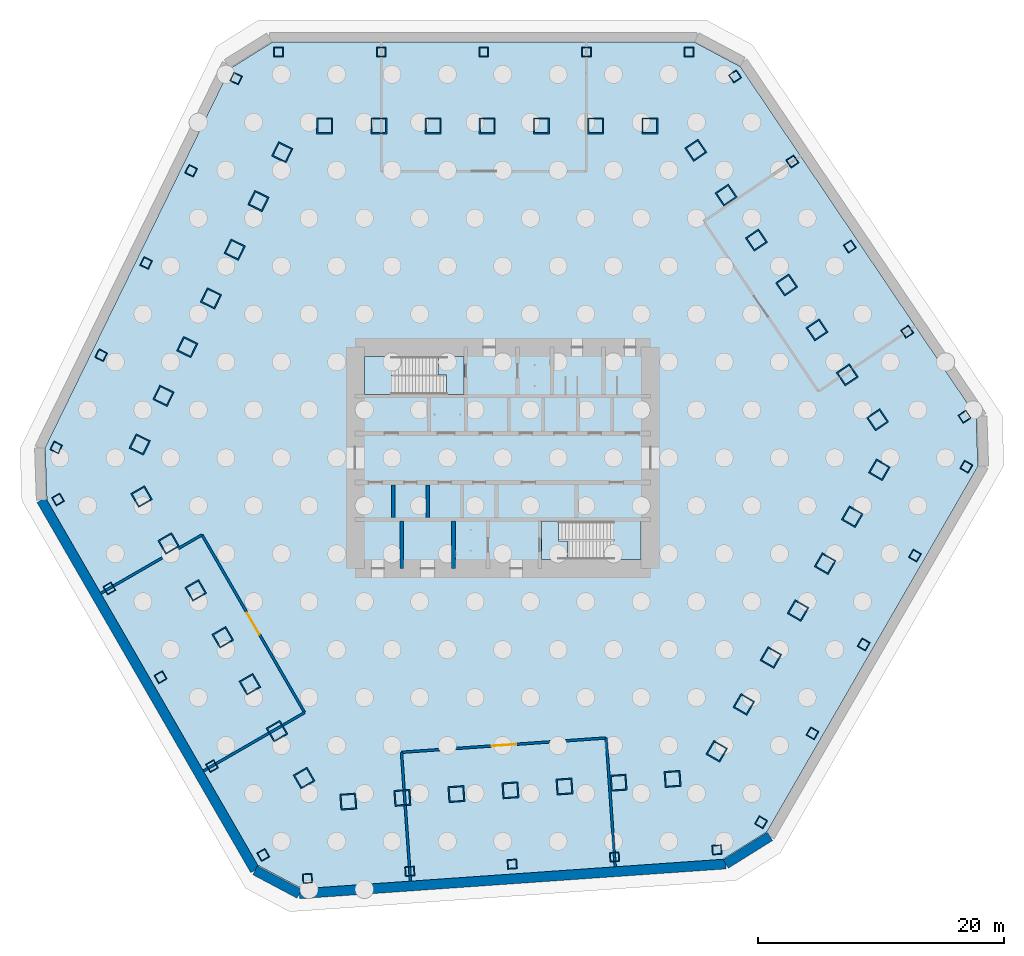
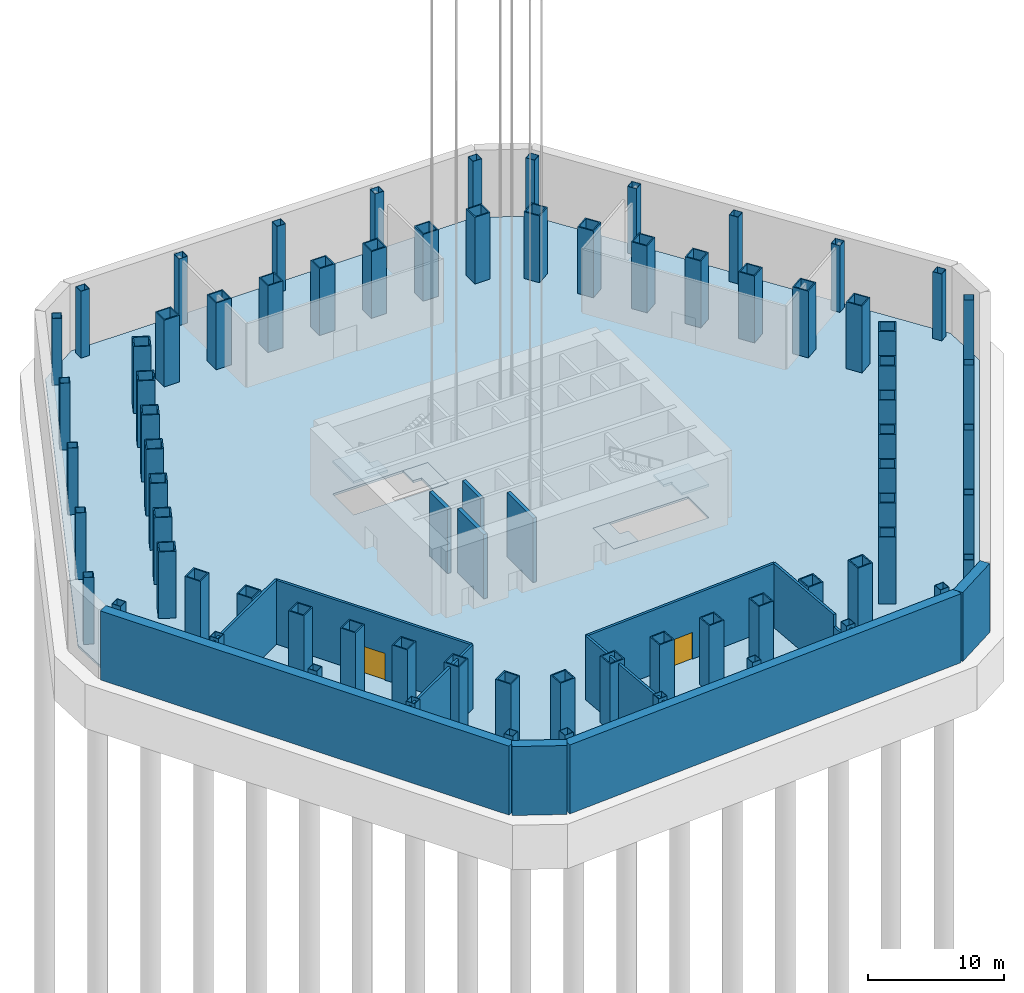
# One storey, part 2 of 12: 72 columns, 16 walls, 5 slabs, 2 doors, 2 openings, 2 elements without a shape of their own.
"""IFC4 building model written with IfcOpenShell, lengths in metres."""

from ifc_helpers import new_model, si_unit, direction, frame, frame_2d, origin, origin_2d, place, context, subcontext, project, spatial, polyline, rectangle, hollow_rectangle, outline, extrude, material, layer, layer_set, material_profile, profile_set, type_object, element, fill, aggregate, save


model = new_model("IFC4")

# Units and contexts
model_context = context("Model", 3, precision=1e-05, world=origin(), true_north=direction((0.0, 1.0)))
body_context = subcontext(model_context, "Body", "Model", "MODEL_VIEW")
ifc_project = project(units=[si_unit("LENGTHUNIT", "METRE"), si_unit("AREAUNIT", "SQUARE_METRE"), si_unit("VOLUMEUNIT", "CUBIC_METRE"), si_unit("PLANEANGLEUNIT", "RADIAN"), si_unit("MASSUNIT", "GRAM", prefix="KILO")], contexts=[model_context])

# Site, building, storey
site_placement = place(None, origin())
site = spatial("IfcSite", under=ifc_project, at=site_placement, CompositionType="ELEMENT")
building_placement = place(site_placement, origin())
building = spatial("IfcBuilding", under=site, at=building_placement, Name="Qingtian Harvest Tower", CompositionType="ELEMENT")
storey_placement = place(building_placement, frame((0.0, 0.0, -12.0)))
storey = spatial("IfcBuildingStorey", under=building, at=storey_placement, Name="B2", CompositionType="ELEMENT", Elevation=-12.0)

# Columns
ifc_material_1 = material(Name="Steel SM570MC", Category="steel")
ifc_material_profile_1 = material_profile(ifc_material_1, hollow_rectangle(XDim=0.75, YDim=0.75, WallThickness=0.035888671875, at=origin_2d()), Name="BOX750x750x36")
ifc_profile_set_1 = profile_set([ifc_material_profile_1], Name="Steel SM570MC")
column_type_1 = type_object("IfcColumnType", Name="Podium column PC1 BOX750x750x36", PredefinedType="COLUMN", material=ifc_profile_set_1)
for number, where, z_axis, x_axis, name in (
    (1, (-18.220703125, 33.0, -0.199951171875), (0.0, 0.0, 1.0), (-1.0, 0.0, 0.0), "Podium column PC1 N0"),
    (2, (-9.87890625, 33.0, -0.199951171875), (0.0, 0.0, 1.0), (-1.0, 0.0, 0.0), "Podium column PC1 N1"),
    (3, (-1.537109375, 33.0, -0.199951171875), (0.0, 0.0, 1.0), (-1.0, 0.0, 0.0), "Podium column PC1 N2"),
    (4, (6.8046875, 33.0, -0.199951171875), (0.0, 0.0, 1.0), (-1.0, 0.0, 0.0), "Podium column PC1 N3"),
    (5, (18.888427734375, 31.01025390625, -0.199951171875), (0.0, 0.0, 1.0), (-0.559192903471, 0.829037572555, 0.0), "Podium column PC1 NE0"),
    (6, (23.55322265625, 24.0947265625, -0.199951171875), (0.0, 0.0, 1.0), (-0.559192903471, 0.829037572555, 0.0), "Podium column PC1 NE1"),
    (7, (28.2177734375, 17.178955078125, -0.199951171875), (0.0, 0.0, 1.0), (-0.559192903471, 0.829037572555, 0.0), "Podium column PC1 NE2"),
    (8, (32.882568359375, 10.263427734375, -0.199951171875), (0.0, 0.0, 1.0), (-0.559192903471, 0.829037572555, 0.0), "Podium column PC1 NE3"),
    (9, (37.689208984375, -0.720458984375, -0.199951171875), (0.0, 0.0, 1.0), (0.5, 0.866025403784, 0.0), "Podium column PC1 SE0"),
    (10, (33.518310546875, -7.944580078125, -0.199951171875), (0.0, 0.0, 1.0), (0.5, 0.866025403784, 0.0), "Podium column PC1 SE1"),
    (11, (29.347412109375, -15.168701171875, -0.199951171875), (0.0, 0.0, 1.0), (0.5, 0.866025403784, 0.0), "Podium column PC1 SE2"),
    (12, (25.176513671875, -22.39306640625, -0.199951171875), (0.0, 0.0, 1.0), (0.5, 0.866025403784, 0.0), "Podium column PC1 SE3"),
    (13, (17.411376953125, -31.863037109375, -0.199951171875), (0.0, 0.0, 1.0), (0.99756405026, 0.069756473744, 0.0), "Podium column PC1 S0"),
    (14, (9.090087890625, -32.44482421875, -0.199951171875), (0.0, 0.0, 1.0), (0.99756405026, 0.069756473744, 0.0), "Podium column PC1 S1"),
    (15, (0.7685546875, -33.02685546875, -0.199951171875), (0.0, 0.0, 1.0), (0.99756405026, 0.069756473744, 0.0), "Podium column PC1 S2"),
    (16, (-7.552978515625, -33.608642578125, -0.199951171875), (0.0, 0.0, 1.0), (0.99756405026, 0.069756473744, 0.0), "Podium column PC1 S3"),
    (17, (-19.468505859375, -32.279541015625, -0.199951171875), (0.0, 0.0, 1.0), (0.5, -0.866025403784, 0.0), "Podium column PC1 SW0"),
    (18, (-23.639404296875, -25.055419921875, -0.199951171875), (0.0, 0.0, 1.0), (0.5, -0.866025403784, 0.0), "Podium column PC1 SW1"),
    (19, (-27.810302734375, -17.831298828125, -0.199951171875), (0.0, 0.0, 1.0), (0.5, -0.866025403784, 0.0), "Podium column PC1 SW2"),
    (20, (-31.981201171875, -10.60693359375, -0.199951171875), (0.0, 0.0, 1.0), (0.5, -0.866025403784, 0.0), "Podium column PC1 SW3"),
    (21, (-36.300048828125, 0.852783203125, -0.199951171875), (0.0, 0.0, 1.0), (-0.438371146789, -0.898794046299, 0.0), "Podium column PC1 NW0"),
    (22, (-32.64306640625, 8.350341796875, -0.199951171875), (0.0, 0.0, 1.0), (-0.438371146789, -0.898794046299, 0.0), "Podium column PC1 NW1"),
    (23, (-28.986328125, 15.847900390625, -0.199951171875), (0.0, 0.0, 1.0), (-0.438371146789, -0.898794046299, 0.0), "Podium column PC1 NW2"),
    (24, (-25.32958984375, 23.345458984375, -0.199951171875), (0.0, 0.0, 1.0), (-0.438371146789, -0.898794046299, 0.0), "Podium column PC1 NW3"),
    (25, (15.146484375, 33.0, -0.199951171875), (0.0, 0.0, 1.0), (-1.0, 0.0, 0.0), "Podium column PC1 N4"),
    (26, (37.547119140625, 3.34765625, -0.199951171875), (0.0, 0.0, 1.0), (-0.559192903471, 0.829037572555, 0.0), "Podium column PC1 NE4"),
    (27, (21.005615234375, -29.6171875, -0.199951171875), (0.0, 0.0, 1.0), (0.5, 0.866025403784, 0.0), "Podium column PC1 SE4"),
    (28, (-15.874267578125, -34.190673828125, -0.199951171875), (0.0, 0.0, 1.0), (0.99756405026, 0.069756473744, 0.0), "Podium column PC1 S4"),
    (29, (-36.152099609375, -3.3828125, -0.199951171875), (0.0, 0.0, 1.0), (0.5, -0.866025403784, 0.0), "Podium column PC1 SW4"),
    (30, (-21.6728515625, 30.8427734375, -0.199951171875), (0.0, 0.0, 1.0), (-0.438371146789, -0.898794046299, 0.0), "Podium column PC1 NW4"),
):
    element("IfcColumn", number, at=place(storey_placement, frame(where, z_axis=z_axis, x_axis=x_axis)), inside=storey, type_object=column_type_1, Name=name, PredefinedType="COLUMN", context=body_context, shape_type="SweptSolid", body=[
        extrude(hollow_rectangle(XDim=0.75, YDim=0.75, WallThickness=0.035888671875, at=origin_2d()), origin(), (0.0, 0.0, 1.0), 6.199951171875),
    ])
ifc_material_2 = material(Name="Steel SM570MC", Category="steel")
ifc_material_profile_2 = material_profile(ifc_material_2, hollow_rectangle(XDim=1.300048828125, YDim=1.300048828125, WallThickness=0.10009765625, at=origin_2d()), Name="BOX1300x1300x100")
ifc_profile_set_2 = profile_set([ifc_material_profile_2], Name="Steel SM570MC")
column_type_2 = type_object("IfcColumnType", Name="Tube column TC1 BOX1300x1300x100", PredefinedType="COLUMN", material=ifc_profile_set_2)
for number, where, z_axis, x_axis, name in (
    (31, (-14.471435546875, 27.0, -0.199951171875), (0.0, 0.0, 1.0), (-1.0, 0.0, 0.0), "Tube column TC1 N0"),
    (32, (-10.06689453125, 27.0, -0.199951171875), (0.0, 0.0, 1.0), (-1.0, 0.0, 0.0), "Tube column TC1 N1"),
    (33, (-5.662353515625, 27.0, -0.199951171875), (0.0, 0.0, 1.0), (-1.0, 0.0, 0.0), "Tube column TC1 N2"),
    (34, (-1.257568359375, 27.0, -0.199951171875), (0.0, 0.0, 1.0), (-1.0, 0.0, 0.0), "Tube column TC1 N3"),
    (35, (3.14697265625, 27.0, -0.199951171875), (0.0, 0.0, 1.0), (-1.0, 0.0, 0.0), "Tube column TC1 N4"),
    (36, (7.551513671875, 27.0, -0.199951171875), (0.0, 0.0, 1.0), (-1.0, 0.0, 0.0), "Tube column TC1 N5"),
    (37, (11.9560546875, 27.0, -0.199951171875), (0.0, 0.0, 1.0), (-1.0, 0.0, 0.0), "Tube column TC1 N6"),
    (38, (15.6982421875, 25.01025390625, -0.199951171875), (0.0, 0.0, 1.0), (-0.559192903471, 0.829037572555, 0.0), "Tube column TC1 NE0"),
    (39, (18.1611328125, 21.358642578125, -0.199951171875), (0.0, 0.0, 1.0), (-0.559192903471, 0.829037572555, 0.0), "Tube column TC1 NE1"),
    (40, (20.624267578125, 17.70703125, -0.199951171875), (0.0, 0.0, 1.0), (-0.559192903471, 0.829037572555, 0.0), "Tube column TC1 NE2"),
    (41, (23.08740234375, 14.0556640625, -0.199951171875), (0.0, 0.0, 1.0), (-0.559192903471, 0.829037572555, 0.0), "Tube column TC1 NE3"),
    (42, (25.55029296875, 10.404052734375, -0.199951171875), (0.0, 0.0, 1.0), (-0.559192903471, 0.829037572555, 0.0), "Tube column TC1 NE4"),
    (43, (28.013427734375, 6.75244140625, -0.199951171875), (0.0, 0.0, 1.0), (-0.559192903471, 0.829037572555, 0.0), "Tube column TC1 NE5"),
    (44, (30.476318359375, 3.100830078125, -0.199951171875), (0.0, 0.0, 1.0), (-0.559192903471, 0.829037572555, 0.0), "Tube column TC1 NE6"),
    (45, (30.618408203125, -0.96728515625, -0.199951171875), (0.0, 0.0, 1.0), (0.5, 0.866025403784, 0.0), "Tube column TC1 SE0"),
    (46, (28.416015625, -4.78173828125, -0.199951171875), (0.0, 0.0, 1.0), (0.5, 0.866025403784, 0.0), "Tube column TC1 SE1"),
    (47, (26.2138671875, -8.596435546875, -0.199951171875), (0.0, 0.0, 1.0), (0.5, 0.866025403784, 0.0), "Tube column TC1 SE2"),
    (48, (24.011474609375, -12.410888671875, -0.199951171875), (0.0, 0.0, 1.0), (0.5, 0.866025403784, 0.0), "Tube column TC1 SE3"),
    (49, (21.809326171875, -16.225341796875, -0.199951171875), (0.0, 0.0, 1.0), (0.5, 0.866025403784, 0.0), "Tube column TC1 SE4"),
    (50, (19.60693359375, -20.039794921875, -0.199951171875), (0.0, 0.0, 1.0), (0.5, 0.866025403784, 0.0), "Tube column TC1 SE5"),
    (51, (17.404541015625, -23.854248046875, -0.199951171875), (0.0, 0.0, 1.0), (0.5, 0.866025403784, 0.0), "Tube column TC1 SE6"),
    (52, (13.810546875, -26.10009765625, -0.199951171875), (0.0, 0.0, 1.0), (0.99756405026, 0.069756473744, 0.0), "Tube column TC1 S0"),
    (53, (9.41650390625, -26.407470703125, -0.199951171875), (0.0, 0.0, 1.0), (0.99756405026, 0.069756473744, 0.0), "Tube column TC1 S1"),
    (54, (5.022705078125, -26.714599609375, -0.199951171875), (0.0, 0.0, 1.0), (0.99756405026, 0.069756473744, 0.0), "Tube column TC1 S2"),
    (55, (0.62890625, -27.02197265625, -0.199951171875), (0.0, 0.0, 1.0), (0.99756405026, 0.069756473744, 0.0), "Tube column TC1 S3"),
    (56, (-3.76513671875, -27.3291015625, -0.199951171875), (0.0, 0.0, 1.0), (0.99756405026, 0.069756473744, 0.0), "Tube column TC1 S4"),
    (57, (-8.158935546875, -27.636474609375, -0.199951171875), (0.0, 0.0, 1.0), (0.99756405026, 0.069756473744, 0.0), "Tube column TC1 S5"),
    (58, (-12.552734375, -27.943603515625, -0.199951171875), (0.0, 0.0, 1.0), (0.99756405026, 0.069756473744, 0.0), "Tube column TC1 S6"),
    (59, (-16.14697265625, -26.03271484375, -0.199951171875), (0.0, 0.0, 1.0), (0.5, -0.866025403784, 0.0), "Tube column TC1 SW0"),
    (60, (-18.349365234375, -22.21826171875, -0.199951171875), (0.0, 0.0, 1.0), (0.5, -0.866025403784, 0.0), "Tube column TC1 SW1"),
    (61, (-20.551513671875, -18.403564453125, -0.199951171875), (0.0, 0.0, 1.0), (0.5, -0.866025403784, 0.0), "Tube column TC1 SW2"),
    (62, (-22.75390625, -14.589111328125, -0.199951171875), (0.0, 0.0, 1.0), (0.5, -0.866025403784, 0.0), "Tube column TC1 SW3"),
    (63, (-24.9560546875, -10.774658203125, -0.199951171875), (0.0, 0.0, 1.0), (0.5, -0.866025403784, 0.0), "Tube column TC1 SW4"),
    (64, (-27.158447265625, -6.960205078125, -0.199951171875), (0.0, 0.0, 1.0), (0.5, -0.866025403784, 0.0), "Tube column TC1 SW5"),
    (65, (-29.36083984375, -3.145751953125, -0.199951171875), (0.0, 0.0, 1.0), (0.5, -0.866025403784, 0.0), "Tube column TC1 SW6"),
    (66, (-29.5087890625, 1.08984375, -0.199951171875), (0.0, 0.0, 1.0), (-0.438371146789, -0.898794046299, 0.0), "Tube column TC1 NW0"),
    (67, (-27.577880859375, 5.048828125, -0.199951171875), (0.0, 0.0, 1.0), (-0.438371146789, -0.898794046299, 0.0), "Tube column TC1 NW1"),
    (68, (-25.64697265625, 9.007568359375, -0.199951171875), (0.0, 0.0, 1.0), (-0.438371146789, -0.898794046299, 0.0), "Tube column TC1 NW2"),
    (69, (-23.716064453125, 12.96630859375, -0.199951171875), (0.0, 0.0, 1.0), (-0.438371146789, -0.898794046299, 0.0), "Tube column TC1 NW3"),
    (70, (-21.78515625, 16.92529296875, -0.199951171875), (0.0, 0.0, 1.0), (-0.438371146789, -0.898794046299, 0.0), "Tube column TC1 NW4"),
    (71, (-19.8544921875, 20.884033203125, -0.199951171875), (0.0, 0.0, 1.0), (-0.438371146789, -0.898794046299, 0.0), "Tube column TC1 NW5"),
    (72, (-17.923583984375, 24.8427734375, -0.199951171875), (0.0, 0.0, 1.0), (-0.438371146789, -0.898794046299, 0.0), "Tube column TC1 NW6"),
):
    element("IfcColumn", number, at=place(storey_placement, frame(where, z_axis=z_axis, x_axis=x_axis)), inside=storey, type_object=column_type_2, Name=name, PredefinedType="COLUMN", context=body_context, shape_type="SweptSolid", body=[
        extrude(hollow_rectangle(XDim=1.300048828125, YDim=1.300048828125, WallThickness=0.10009765625, at=origin_2d()), origin(), (0.0, 0.0, 1.0), 6.199951171875),
    ])

# Slab
ifc_material_3 = material(Name="Concrete fc' 42 MPa", Category="concrete")
ifc_layer_1 = layer(ifc_material_3, 0.199951171875)
ifc_layer_set_1 = layer_set([ifc_layer_1], Name="Basement base slab BS20 200")
slab_type_1 = type_object("IfcSlabType", Name="Basement base slab BS20 200", PredefinedType="BASESLAB", material=ifc_layer_set_1)
slab_1_placement = place(storey_placement, frame((0.0, 0.0, -0.199951171875)))
element("IfcSlab", 73, at=slab_1_placement, inside=storey, type_object=slab_type_1, Name="Base slab B2", PredefinedType="BASESLAB", context=body_context, shape_type="SweptSolid", body=[
    extrude(outline(polyline([(-18.720703125, 33.800048828125), (15.57177734375, 33.800048828125), (19.313720703125, 31.810302734375), (38.489990234375, 3.380615234375), (38.6318359375, -0.6875), (21.48583984375, -30.385498046875), (17.8916015625, -32.63134765625), (-16.317138671875, -35.0234375), (-19.911376953125, -33.112548828125), (-37.0576171875, -3.41455078125), (-37.20556640625, 0.821044921875), (-22.172607421875, 31.642822265625), (-18.720703125, 33.800048828125)]), holes=[polyline([(-11.25, 5.14990234375), (-3.14990234375, 5.14990234375), (-3.14990234375, 8.25), (-11.25, 8.25), (-11.25, 5.14990234375)]), polyline([(3.14990234375, -8.25), (11.25, -8.25), (11.25, -5.14990234375), (3.14990234375, -5.14990234375), (3.14990234375, -8.25)])]), origin(), (0.0, 0.0, 1.0), 0.199951171875),
])

# Stair, slabs
ifc_material_4 = material(Name="Concrete fc' 35 MPa", Category="concrete")
stair_type = type_object("IfcStairType", Name="Special stair ST1 6000", PredefinedType="HALF_TURN_STAIR", material=ifc_material_4)
stair_1_placement = place(storey_placement, origin())
stair_1 = element("IfcStair", 74, at=stair_1_placement, inside=storey, type_object=stair_type, Name="Special stair S1 B2", PredefinedType="HALF_TURN_STAIR")
ifc_material_5 = material(Name="Concrete fc' 35 MPa", Category="concrete")
ifc_layer_2 = layer(ifc_material_5, 0.199951171875)
ifc_layer_set_2 = layer_set([ifc_layer_2], Name="Stair landing SL2 200")
slab_type_2 = type_object("IfcSlabType", Name="Stair landing SL2 200", PredefinedType="LANDING", material=ifc_layer_set_2)
slab_2_placement = place(storey_placement, frame((0.0, 0.0, -0.199951171875)))
slab_2 = element("IfcSlab", 75, at=slab_2_placement, type_object=slab_type_2, Name="S1 landing 1", PredefinedType="LANDING", context=body_context, shape_type="SweptSolid", body=[
    extrude(outline(polyline([(-3.14990234375, 5.14990234375), (-4.550048828125, 5.14990234375), (-4.550048828125, 6.75), (-5.260009765625, 6.75), (-5.260009765625, 8.25), (-3.14990234375, 8.25), (-3.14990234375, 5.14990234375)])), origin(), (0.0, 0.0, 1.0), 0.199951171875),
])
slab_3_placement = place(storey_placement, frame((0.0, 0.0, 2.800048828125)))
slab_3 = element("IfcSlab", 76, at=slab_3_placement, type_object=slab_type_2, Name="S1 landing 2", PredefinedType="LANDING", context=body_context, shape_type="SweptSolid", body=[
    extrude(outline(polyline([(-8.320068359375, 5.14990234375), (-11.25, 5.14990234375), (-11.25, 8.25), (-8.929931640625, 8.25), (-8.929931640625, 6.75), (-9.030029296875, 6.75), (-9.030029296875, 6.64990234375), (-8.320068359375, 6.64990234375), (-8.320068359375, 5.14990234375)])), origin(), (0.0, 0.0, 1.0), 0.199951171875),
])
aggregate(stair_1, [slab_2, slab_3])

stair_2_placement = place(storey_placement, origin())
stair_2 = element("IfcStair", 77, at=stair_2_placement, inside=storey, type_object=stair_type, Name="Special stair S2 B2", PredefinedType="HALF_TURN_STAIR")
slab_4_placement = place(storey_placement, frame((0.0, 0.0, -0.199951171875)))
slab_4 = element("IfcSlab", 78, at=slab_4_placement, type_object=slab_type_2, Name="S2 landing 1", PredefinedType="LANDING", context=body_context, shape_type="SweptSolid", body=[
    extrude(outline(polyline([(5.260009765625, -8.25), (3.14990234375, -8.25), (3.14990234375, -5.14990234375), (4.550048828125, -5.14990234375), (4.550048828125, -6.75), (5.260009765625, -6.75), (5.260009765625, -8.25)])), origin(), (0.0, 0.0, 1.0), 0.199951171875),
])
slab_5_placement = place(storey_placement, frame((0.0, 0.0, 2.800048828125)))
slab_5 = element("IfcSlab", 79, at=slab_5_placement, type_object=slab_type_2, Name="S2 landing 2", PredefinedType="LANDING", context=body_context, shape_type="SweptSolid", body=[
    extrude(outline(polyline([(8.929931640625, -8.25), (8.929931640625, -6.75), (9.030029296875, -6.75), (9.030029296875, -6.64990234375), (8.320068359375, -6.64990234375), (8.320068359375, -5.14990234375), (11.25, -5.14990234375), (11.25, -8.25), (8.929931640625, -8.25)])), origin(), (0.0, 0.0, 1.0), 0.199951171875),
])
aggregate(stair_2, [slab_4, slab_5])

# Walls
ifc_material_6 = material(Name="Concrete fc' 42 MPa", Category="concrete")
ifc_layer_3 = layer(ifc_material_6, 0.800048828125)
ifc_layer_set_3 = layer_set([ifc_layer_3], Name="Basement retaining wall RW1 800")
wall_type_1 = type_object("IfcWallType", Name="Basement retaining wall RW1 800", PredefinedType="SHEAR", material=ifc_layer_set_3)
wall_1_placement = place(storey_placement, frame((21.725830078125, -30.769775390625, -0.199951171875), z_axis=(0.0, 0.0, 1.0), x_axis=(-0.848056550838, -0.529905733675, 0.0)))
element("IfcWall", 80, at=wall_1_placement, inside=storey, type_object=wall_type_1, Name="Retaining wall RW1 B2 6", PredefinedType="SHEAR", context=body_context, shape_type="SweptSolid", body=[
    extrude(rectangle(XDim=4.23828125, YDim=0.800048828125, at=frame_2d((2.119140625, 0.0))), origin(), (0.0, 0.0, 1.0), 6.199951171875),
])
wall_2_placement = place(storey_placement, frame((18.131591796875, -33.015625, -0.199951171875), z_axis=(0.0, 0.0, 1.0), x_axis=(-0.997564165932, -0.069754819538, 0.0)))
element("IfcWall", 81, at=wall_2_placement, inside=storey, type_object=wall_type_1, Name="Retaining wall RW1 B2 7", PredefinedType="SHEAR", context=body_context, shape_type="SweptSolid", body=[
    extrude(rectangle(XDim=34.7548828125, YDim=0.800048828125, at=frame_2d((17.37744140625, 0.0))), origin(), (0.0, 0.0, 1.0), 6.199951171875),
])
wall_3_placement = place(storey_placement, frame((-16.53857421875, -35.43994140625, -0.199951171875), z_axis=(0.0, 0.0, 1.0), x_axis=(-0.882968133669, 0.469432929101, 0.0)))
element("IfcWall", 82, at=wall_3_placement, inside=storey, type_object=wall_type_1, Name="Retaining wall RW1 B2 8", PredefinedType="SHEAR", context=body_context, shape_type="SweptSolid", body=[
    extrude(rectangle(XDim=4.070556640625, YDim=0.800048828125, at=frame_2d((2.03515625, 0.0))), origin(), (0.0, 0.0, 1.0), 6.199951171875),
])
wall_4_placement = place(storey_placement, frame((-20.1328125, -33.529052734375, -0.199951171875), z_axis=(0.0, 0.0, 1.0), x_axis=(-0.499996691743, 0.866027313799, 0.0)))
element("IfcWall", 83, at=wall_4_placement, inside=storey, type_object=wall_type_1, Name="Retaining wall RW1 B2 9", PredefinedType="SHEAR", context=body_context, shape_type="SweptSolid", body=[
    extrude(rectangle(XDim=34.755126953125, YDim=0.800048828125, at=frame_2d((17.37744140625, 0.0))), origin(), (0.0, 0.0, 1.0), 6.199951171875),
])
ifc_material_7 = material(Name="Precast concrete shaft panel", Category="concrete")
ifc_layer_4 = layer(ifc_material_7, 0.300048828125)
ifc_layer_set_4 = layer_set([ifc_layer_4], Name="Core shaft partition SW1 300")
wall_type_2 = type_object("IfcWallType", Name="Core shaft partition SW1 300", PredefinedType="PARTITIONING", material=ifc_layer_set_4)
for number, where, z_axis, x_axis, name in (
    (84, (-8.89990234375, -4.85009765625, 0.0), (0.0, 0.0, 1.0), (0.0, 1.0, 0.0), "Core shaft partition XB1 B2"),
    (85, (-6.10009765625, -4.85009765625, 0.0), (0.0, 0.0, 1.0), (0.0, 1.0, 0.0), "Core shaft partition XB2 B2"),
):
    element("IfcWall", number, at=place(storey_placement, frame(where, z_axis=z_axis, x_axis=x_axis)), inside=storey, type_object=wall_type_2, Name=name, PredefinedType="PARTITIONING", context=body_context, shape_type="SweptSolid", body=[
        extrude(rectangle(XDim=2.650146484375, YDim=0.300048828125, at=frame_2d((1.3251953125, 0.0))), origin(), (0.0, 0.0, 1.0), 5.780029296875),
    ])
for number, where, z_axis, x_axis, name in (
    (86, (-8.199951171875, -9.0, 0.0), (0.0, 0.0, 1.0), (0.0, 1.0, 0.0), "Core shaft partition XS1 B2"),
    (87, (-4.0, -9.0, 0.0), (0.0, 0.0, 1.0), (0.0, 1.0, 0.0), "Core shaft partition XS2 B2"),
):
    element("IfcWall", number, at=place(storey_placement, frame(where, z_axis=z_axis, x_axis=x_axis)), inside=storey, type_object=wall_type_2, Name=name, PredefinedType="PARTITIONING", context=body_context, shape_type="SweptSolid", body=[
        extrude(rectangle(XDim=3.85009765625, YDim=0.300048828125, at=frame_2d((1.925048828125, 0.0))), origin(), (0.0, 0.0, 1.0), 5.780029296875),
    ])
ifc_material_8 = material(Name="Blockwork fire wall", Category="masonry")
ifc_layer_5 = layer(ifc_material_8, 0.199951171875)
ifc_layer_set_5 = layer_set([ifc_layer_5], Name="Fire partition FW1 200")
wall_type_3 = type_object("IfcWallType", Name="Fire partition FW1 200", PredefinedType="PARTITIONING", material=ifc_layer_set_5)
wall_5_placement = place(storey_placement, frame((9.145751953125, -33.242919921875, 0.0), z_axis=(0.0, 0.0, 1.0), x_axis=(-0.069554756913, 0.997578135181, 0.0)))
element("IfcWall", 88, at=wall_5_placement, inside=storey, type_object=wall_type_3, Name="Generator room wall B2", PredefinedType="PARTITIONING", context=body_context, shape_type="SweptSolid", body=[
    extrude(rectangle(XDim=0.779296875, YDim=0.199951171875, at=frame_2d((0.3896484375, 0.0))), origin(), (0.0, 0.0, 1.0), 5.75),
])
wall_6_placement = place(storey_placement, frame((-7.4970703125, -34.40673828125, 0.0), z_axis=(0.0, 0.0, 1.0), x_axis=(-0.069754853754, 0.997564163539, 0.0)))
element("IfcWall", 89, at=wall_6_placement, inside=storey, type_object=wall_type_3, Name="Generator room wall B2", PredefinedType="PARTITIONING", context=body_context, shape_type="SweptSolid", body=[
    extrude(rectangle(XDim=10.5, YDim=0.199951171875, at=frame_2d((5.25, 0.0))), origin(), (0.0, 0.0, 1.0), 5.75),
])

# Wall, opening, door
wall_7_placement = place(storey_placement, frame((8.413330078125, -22.7685546875, 0.0), z_axis=(0.0, 0.0, 1.0), x_axis=(-0.997563888187, -0.069758791459, 0.0)))
wall_7 = element("IfcWall", 90, at=wall_7_placement, inside=storey, type_object=wall_type_3, Name="Generator room wall B2", PredefinedType="PARTITIONING", context=body_context, shape_type="SweptSolid", body=[
    extrude(rectangle(XDim=16.683349609375, YDim=0.199951171875, at=frame_2d((8.341796875, 0.0))), origin(), (0.0, 0.0, 1.0), 5.75),
])
opening_1_placement = place(wall_7_placement, frame((7.341796875, 0.0, 0.0)))
opening_1 = element("IfcOpeningElement", 91, at=opening_1_placement, cuts=wall_7, Name="Opening FD3", PredefinedType="OPENING", context=body_context, shape_type="SweptSolid", body=[
    extrude(rectangle(XDim=2.0, YDim=2.39990234375, at=frame_2d((1.0, 1.199951171875))), frame((0.0, 0.10986328125, 0.0), z_axis=(0.0, -1.0, 0.0), x_axis=(1.0, 0.0, 0.0)), (0.0, 0.0, 1.0), 0.219970703125),
])
ifc_material_9 = material(Name="Steel-faced door leaf", Category="steel")
door_type = type_object("IfcDoorType", Name="Fire door FD3 double 2 HR", OperationType="DOUBLE_DOOR_DOUBLE_SWING", PredefinedType="DOOR", material=ifc_material_9)
door_1_placement = place(opening_1_placement, origin())
door_1 = element("IfcDoor", 92, at=door_1_placement, inside=storey, type_object=door_type, Name="Generator room door B2", OperationType="DOUBLE_DOOR_DOUBLE_SWING", OverallHeight=2.39990234375, OverallWidth=2.0, PredefinedType="DOOR", context=body_context, shape_type="SweptSolid", body=[
    extrude(rectangle(XDim=2.0, YDim=2.39990234375, at=frame_2d((1.0, 1.199951171875))), frame((0.0, 0.02490234375, 0.0), z_axis=(0.0, -1.0, 0.0), x_axis=(1.0, 0.0, 0.0)), (0.0, 0.0, 1.0), 0.050048828125),
])
fill(opening_1, door_1)

# Walls
for number, where, z_axis, x_axis, name in (
    (93, (-24.332275390625, -25.455322265625, 0.0), (0.0, 0.0, 1.0), (0.86602681393, 0.499997557548, 0.0), "Nutrient water treatment plant wall B2"),
    (94, (-32.674072265625, -11.007080078125, 0.0), (0.0, 0.0, 1.0), (0.86602681393, 0.499997557548, 0.0), "Nutrient water treatment plant wall B2"),
):
    element("IfcWall", number, at=place(storey_placement, frame(where, z_axis=z_axis, x_axis=x_axis)), inside=storey, type_object=wall_type_3, Name=name, PredefinedType="PARTITIONING", context=body_context, shape_type="SweptSolid", body=[
        extrude(rectangle(XDim=9.5, YDim=0.199951171875, at=frame_2d((4.75, 0.0))), origin(), (0.0, 0.0, 1.0), 5.75),
    ])

# Wall, opening, door
wall_8_placement = place(storey_placement, frame((-16.10498046875, -20.705322265625, 0.0), z_axis=(0.0, 0.0, 1.0), x_axis=(-0.500004511595, 0.866022798998, 0.0)))
wall_8 = element("IfcWall", 95, at=wall_8_placement, inside=storey, type_object=wall_type_3, Name="Nutrient water treatment plant wall B2", PredefinedType="PARTITIONING", context=body_context, shape_type="SweptSolid", body=[
    extrude(rectangle(XDim=16.683349609375, YDim=0.199951171875, at=frame_2d((8.341796875, 0.0))), origin(), (0.0, 0.0, 1.0), 5.75),
])
opening_2_placement = place(wall_8_placement, frame((7.341796875, 0.0, 0.0)))
opening_2 = element("IfcOpeningElement", 96, at=opening_2_placement, cuts=wall_8, Name="Opening FD3", PredefinedType="OPENING", context=body_context, shape_type="SweptSolid", body=[
    extrude(rectangle(XDim=2.0, YDim=2.39990234375, at=frame_2d((1.0, 1.199951171875))), frame((0.0, 0.10986328125, 0.0), z_axis=(0.0, -1.0, 0.0), x_axis=(1.0, 0.0, 0.0)), (0.0, 0.0, 1.0), 0.219970703125),
])
door_2_placement = place(opening_2_placement, origin())
door_2 = element("IfcDoor", 97, at=door_2_placement, inside=storey, type_object=door_type, Name="Nutrient water treatment plant door B2", OperationType="DOUBLE_DOOR_DOUBLE_SWING", OverallHeight=2.39990234375, OverallWidth=2.0, PredefinedType="DOOR", context=body_context, shape_type="SweptSolid", body=[
    extrude(rectangle(XDim=2.0, YDim=2.39990234375, at=frame_2d((1.0, 1.199951171875))), frame((0.0, 0.02490234375, 0.0), z_axis=(0.0, -1.0, 0.0), x_axis=(1.0, 0.0, 0.0)), (0.0, 0.0, 1.0), 0.050048828125),
])
fill(opening_2, door_2)

# Walls
wall_9_placement = place(storey_placement, frame((9.091552734375, -32.465576171875, 0.0), z_axis=(0.0, 0.0, 1.0), x_axis=(-0.069873717935, 0.997555844824, 0.0)))
element("IfcWall", 98, at=wall_9_placement, inside=storey, type_object=wall_type_3, Name="Generator room wall B2", PredefinedType="PARTITIONING", context=body_context, shape_type="SweptSolid", body=[
    extrude(rectangle(XDim=1.743408203125, YDim=0.199951171875, at=frame_2d((0.87158203125, 0.0))), origin(), (0.0, 0.0, 1.0), 4.64990234375),
])
wall_10_placement = place(storey_placement, frame((8.9697265625, -30.726318359375, 0.0), z_axis=(0.0, 0.0, 1.0), x_axis=(-0.069748420123, 0.997564613391, 0.0)))
element("IfcWall", 99, at=wall_10_placement, inside=storey, type_object=wall_type_3, Name="Generator room wall B2", PredefinedType="PARTITIONING", context=body_context, shape_type="SweptSolid", body=[
    extrude(rectangle(XDim=7.977294921875, YDim=0.199951171875, at=frame_2d((3.98876953125, 0.0))), origin(), (0.0, 0.0, 1.0), 5.75),
])

save(model, "model.ifc")
